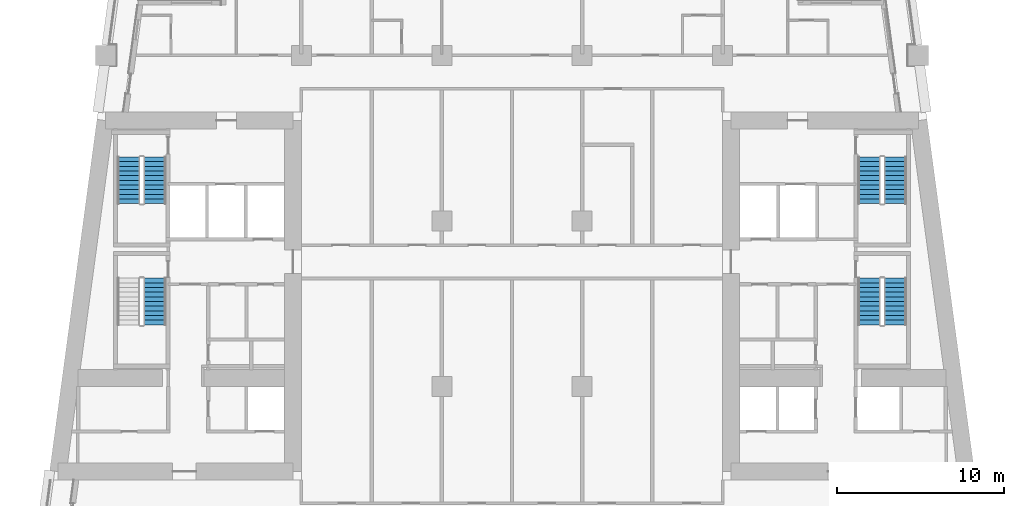
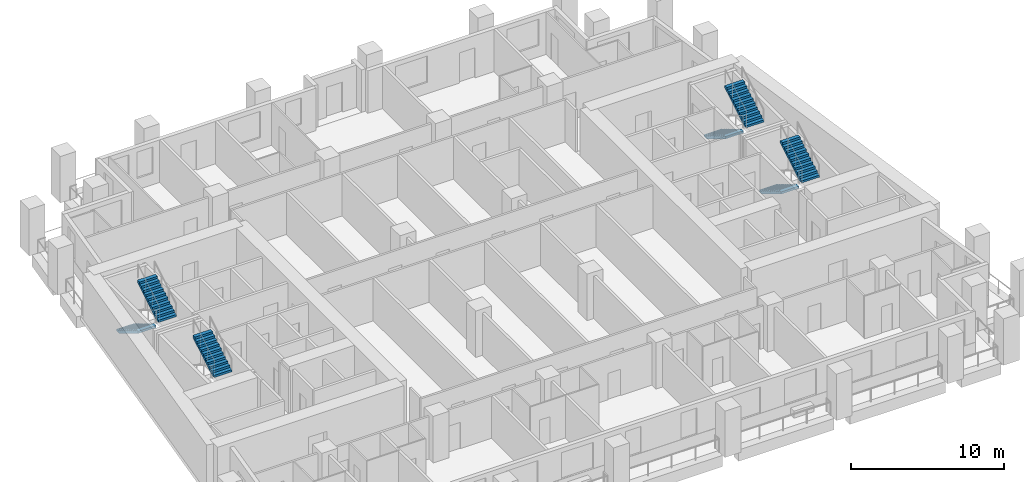
# One storey, part 8 of 13: 7 stair flights, 4 elements without a shape of their own.
"""IFC4 building model written with IfcOpenShell, lengths in metres."""

from ifc_helpers import new_model, si_unit, direction, frame, origin, place, context, subcontext, project, spatial, polyline, outline, extrude, material, type_object, element, aggregate, save


model = new_model("IFC4")

# Units and contexts
model_context = context("Model", 3, precision=1e-05, world=origin(), true_north=direction((0.0, 1.0)))
body_context = subcontext(model_context, "Body", "Model", "MODEL_VIEW")
ifc_project = project(units=[si_unit("LENGTHUNIT", "METRE"), si_unit("AREAUNIT", "SQUARE_METRE"), si_unit("VOLUMEUNIT", "CUBIC_METRE"), si_unit("PLANEANGLEUNIT", "RADIAN"), si_unit("MASSUNIT", "GRAM", prefix="KILO")], contexts=[model_context])

# Site, building, storey
site_placement = place(None, origin())
site = spatial("IfcSite", under=ifc_project, at=site_placement, CompositionType="ELEMENT")
building_placement = place(site_placement, origin())
building = spatial("IfcBuilding", under=site, at=building_placement, Name="Candeia Pilgrim Tower and Theatre", CompositionType="ELEMENT")
storey_placement = place(building_placement, frame((0.0, 0.0, 102.10009765625)))
storey = spatial("IfcBuildingStorey", under=building, at=storey_placement, Name="L23", CompositionType="ELEMENT", Elevation=102.10009765625)

# Stair, stair flight
ifc_material = material(Name="Concrete C40/50", Category="concrete")
stair_type = type_object("IfcStairType", Name="ST-TWR dog-leg escape stair", PredefinedType="HALF_TURN_STAIR", material=ifc_material)
stair_1_placement = place(storey_placement, origin())
stair_1 = element("IfcStair", 1, at=stair_1_placement, inside=storey, type_object=stair_type, Name="L23 Escape stair ST1", PredefinedType="HALF_TURN_STAIR")
stair_flight_type = type_object("IfcStairFlightType", Name="SFL-RC stair flight", PredefinedType="STRAIGHT", material=ifc_material)
stair_flight_1_placement = place(storey_placement, frame((92.027099609375, 119.675048828125, 1.849853515625), z_axis=(0.0, 0.0, 1.0), x_axis=(0.0, 1.0, 0.0)))
stair_flight_1 = element("IfcStairFlight", 2, at=stair_flight_1_placement, type_object=stair_flight_type, Name="ST1 flight 2", NumberOfRisers=11, NumberOfTreads=10, PredefinedType="STRAIGHT", RiserHeight=0.168181818, TreadLength=0.28, context=body_context, shape_type="SweptSolid", body=[
    extrude(outline(polyline([(0.0, 0.0), (0.0, 0.168212890625), (0.280029296875, 0.168212890625), (0.280029296875, 0.33642578125), (0.56005859375, 0.33642578125), (0.56005859375, 0.504638671875), (0.840087890625, 0.504638671875), (0.840087890625, 0.672607421875), (1.1201171875, 0.672607421875), (1.1201171875, 0.8408203125), (1.39990234375, 0.8408203125), (1.39990234375, 1.009033203125), (1.679931640625, 1.009033203125), (1.679931640625, 1.17724609375), (1.9599609375, 1.17724609375), (1.9599609375, 1.345458984375), (2.239990234375, 1.345458984375), (2.239990234375, 1.513671875), (2.52001953125, 1.513671875), (2.52001953125, 1.681884765625), (2.800048828125, 1.681884765625), (2.800048828125, 1.85009765625), (2.800048828125, 1.5068359375), (0.291015625, 0.0), (0.0, 0.0)])), frame((0.0, 0.675048828125, 0.0), z_axis=(0.0, -1.0, 0.0), x_axis=(1.0, 0.0, 0.0)), (0.0, 0.0, 1.0), 1.35009765625),
])
aggregate(stair_1, [stair_flight_1])

# Stair, stair flights
stair_2_placement = place(storey_placement, origin())
stair_2 = element("IfcStair", 3, at=stair_2_placement, inside=storey, type_object=stair_type, Name="L23 Escape stair ST2", PredefinedType="HALF_TURN_STAIR")
stair_flight_2_placement = place(storey_placement, frame((90.47705078125, 129.72509765625, 0.0), z_axis=(0.0, 0.0, 1.0), x_axis=(0.0, -1.0, 0.0)))
stair_flight_2 = element("IfcStairFlight", 4, at=stair_flight_2_placement, type_object=stair_flight_type, Name="ST2 flight 1", NumberOfRisers=11, NumberOfTreads=10, PredefinedType="STRAIGHT", RiserHeight=0.168181818, TreadLength=0.28, context=body_context, shape_type="SweptSolid", body=[
    extrude(outline(polyline([(0.0, 0.0), (0.0, 0.168212890625), (0.280029296875, 0.168212890625), (0.280029296875, 0.33642578125), (0.56005859375, 0.33642578125), (0.56005859375, 0.504638671875), (0.840087890625, 0.504638671875), (0.840087890625, 0.672607421875), (1.1201171875, 0.672607421875), (1.1201171875, 0.8408203125), (1.39990234375, 0.8408203125), (1.39990234375, 1.009033203125), (1.679931640625, 1.009033203125), (1.679931640625, 1.17724609375), (1.9599609375, 1.17724609375), (1.9599609375, 1.345458984375), (2.239990234375, 1.345458984375), (2.239990234375, 1.513671875), (2.52001953125, 1.513671875), (2.52001953125, 1.681884765625), (2.800048828125, 1.681884765625), (2.800048828125, 1.85009765625), (2.800048828125, 1.5068359375), (0.291015625, 0.0), (0.0, 0.0)])), frame((0.0, 0.675048828125, 0.0), z_axis=(0.0, -1.0, 0.0), x_axis=(1.0, 0.0, 0.0)), (0.0, 0.0, 1.0), 1.35009765625),
])
stair_flight_3_placement = place(storey_placement, frame((92.027099609375, 126.925048828125, 1.849853515625), z_axis=(0.0, 0.0, 1.0), x_axis=(0.0, 1.0, 0.0)))
stair_flight_3 = element("IfcStairFlight", 5, at=stair_flight_3_placement, type_object=stair_flight_type, Name="ST2 flight 2", NumberOfRisers=11, NumberOfTreads=10, PredefinedType="STRAIGHT", RiserHeight=0.168181818, TreadLength=0.28, context=body_context, shape_type="SweptSolid", body=[
    extrude(outline(polyline([(0.0, 0.0), (0.0, 0.168212890625), (0.280029296875, 0.168212890625), (0.280029296875, 0.33642578125), (0.56005859375, 0.33642578125), (0.56005859375, 0.504638671875), (0.840087890625, 0.504638671875), (0.840087890625, 0.672607421875), (1.1201171875, 0.672607421875), (1.1201171875, 0.8408203125), (1.39990234375, 0.8408203125), (1.39990234375, 1.009033203125), (1.679931640625, 1.009033203125), (1.679931640625, 1.17724609375), (1.9599609375, 1.17724609375), (1.9599609375, 1.345458984375), (2.239990234375, 1.345458984375), (2.239990234375, 1.513671875), (2.52001953125, 1.513671875), (2.52001953125, 1.681884765625), (2.800048828125, 1.681884765625), (2.800048828125, 1.85009765625), (2.800048828125, 1.5068359375), (0.291015625, 0.0), (0.0, 0.0)])), frame((0.0, 0.675048828125, 0.0), z_axis=(0.0, -1.0, 0.0), x_axis=(1.0, 0.0, 0.0)), (0.0, 0.0, 1.0), 1.35009765625),
])
aggregate(stair_2, [stair_flight_2, stair_flight_3])

stair_3_placement = place(storey_placement, origin())
stair_3 = element("IfcStair", 6, at=stair_3_placement, inside=storey, type_object=stair_type, Name="L23 Escape stair ST3", PredefinedType="HALF_TURN_STAIR")
stair_flight_4_placement = place(storey_placement, frame((134.77294921875, 122.47509765625, 0.0), z_axis=(0.0, 0.0, 1.0), x_axis=(0.0, -1.0, 0.0)))
stair_flight_4 = element("IfcStairFlight", 7, at=stair_flight_4_placement, type_object=stair_flight_type, Name="ST3 flight 1", NumberOfRisers=11, NumberOfTreads=10, PredefinedType="STRAIGHT", RiserHeight=0.168181818, TreadLength=0.28, context=body_context, shape_type="SweptSolid", body=[
    extrude(outline(polyline([(0.0, 0.0), (0.0, 0.168212890625), (0.280029296875, 0.168212890625), (0.280029296875, 0.33642578125), (0.56005859375, 0.33642578125), (0.56005859375, 0.504638671875), (0.840087890625, 0.504638671875), (0.840087890625, 0.672607421875), (1.1201171875, 0.672607421875), (1.1201171875, 0.8408203125), (1.39990234375, 0.8408203125), (1.39990234375, 1.009033203125), (1.679931640625, 1.009033203125), (1.679931640625, 1.17724609375), (1.9599609375, 1.17724609375), (1.9599609375, 1.345458984375), (2.239990234375, 1.345458984375), (2.239990234375, 1.513671875), (2.52001953125, 1.513671875), (2.52001953125, 1.681884765625), (2.800048828125, 1.681884765625), (2.800048828125, 1.85009765625), (2.800048828125, 1.5068359375), (0.291015625, 0.0), (0.0, 0.0)])), frame((0.0, 0.675048828125, 0.0), z_axis=(0.0, -1.0, 0.0), x_axis=(1.0, 0.0, 0.0)), (0.0, 0.0, 1.0), 1.35009765625),
])
stair_flight_5_placement = place(storey_placement, frame((136.322998046875, 119.675048828125, 1.849853515625), z_axis=(0.0, 0.0, 1.0), x_axis=(0.0, 1.0, 0.0)))
stair_flight_5 = element("IfcStairFlight", 8, at=stair_flight_5_placement, type_object=stair_flight_type, Name="ST3 flight 2", NumberOfRisers=11, NumberOfTreads=10, PredefinedType="STRAIGHT", RiserHeight=0.168181818, TreadLength=0.28, context=body_context, shape_type="SweptSolid", body=[
    extrude(outline(polyline([(0.0, 0.0), (0.0, 0.168212890625), (0.280029296875, 0.168212890625), (0.280029296875, 0.33642578125), (0.56005859375, 0.33642578125), (0.56005859375, 0.504638671875), (0.840087890625, 0.504638671875), (0.840087890625, 0.672607421875), (1.1201171875, 0.672607421875), (1.1201171875, 0.8408203125), (1.39990234375, 0.8408203125), (1.39990234375, 1.009033203125), (1.679931640625, 1.009033203125), (1.679931640625, 1.17724609375), (1.9599609375, 1.17724609375), (1.9599609375, 1.345458984375), (2.239990234375, 1.345458984375), (2.239990234375, 1.513671875), (2.52001953125, 1.513671875), (2.52001953125, 1.681884765625), (2.800048828125, 1.681884765625), (2.800048828125, 1.85009765625), (2.800048828125, 1.5068359375), (0.291015625, 0.0), (0.0, 0.0)])), frame((0.0, 0.675048828125, 0.0), z_axis=(0.0, -1.0, 0.0), x_axis=(1.0, 0.0, 0.0)), (0.0, 0.0, 1.0), 1.35009765625),
])
aggregate(stair_3, [stair_flight_4, stair_flight_5])

stair_4_placement = place(storey_placement, origin())
stair_4 = element("IfcStair", 9, at=stair_4_placement, inside=storey, type_object=stair_type, Name="L23 Escape stair ST4", PredefinedType="HALF_TURN_STAIR")
stair_flight_6_placement = place(storey_placement, frame((134.77294921875, 129.72509765625, 0.0), z_axis=(0.0, 0.0, 1.0), x_axis=(0.0, -1.0, 0.0)))
stair_flight_6 = element("IfcStairFlight", 10, at=stair_flight_6_placement, type_object=stair_flight_type, Name="ST4 flight 1", NumberOfRisers=11, NumberOfTreads=10, PredefinedType="STRAIGHT", RiserHeight=0.168181818, TreadLength=0.28, context=body_context, shape_type="SweptSolid", body=[
    extrude(outline(polyline([(0.0, 0.0), (0.0, 0.168212890625), (0.280029296875, 0.168212890625), (0.280029296875, 0.33642578125), (0.56005859375, 0.33642578125), (0.56005859375, 0.504638671875), (0.840087890625, 0.504638671875), (0.840087890625, 0.672607421875), (1.1201171875, 0.672607421875), (1.1201171875, 0.8408203125), (1.39990234375, 0.8408203125), (1.39990234375, 1.009033203125), (1.679931640625, 1.009033203125), (1.679931640625, 1.17724609375), (1.9599609375, 1.17724609375), (1.9599609375, 1.345458984375), (2.239990234375, 1.345458984375), (2.239990234375, 1.513671875), (2.52001953125, 1.513671875), (2.52001953125, 1.681884765625), (2.800048828125, 1.681884765625), (2.800048828125, 1.85009765625), (2.800048828125, 1.5068359375), (0.291015625, 0.0), (0.0, 0.0)])), frame((0.0, 0.675048828125, 0.0), z_axis=(0.0, -1.0, 0.0), x_axis=(1.0, 0.0, 0.0)), (0.0, 0.0, 1.0), 1.35009765625),
])
stair_flight_7_placement = place(storey_placement, frame((136.322998046875, 126.925048828125, 1.849853515625), z_axis=(0.0, 0.0, 1.0), x_axis=(0.0, 1.0, 0.0)))
stair_flight_7 = element("IfcStairFlight", 11, at=stair_flight_7_placement, type_object=stair_flight_type, Name="ST4 flight 2", NumberOfRisers=11, NumberOfTreads=10, PredefinedType="STRAIGHT", RiserHeight=0.168181818, TreadLength=0.28, context=body_context, shape_type="SweptSolid", body=[
    extrude(outline(polyline([(0.0, 0.0), (0.0, 0.168212890625), (0.280029296875, 0.168212890625), (0.280029296875, 0.33642578125), (0.56005859375, 0.33642578125), (0.56005859375, 0.504638671875), (0.840087890625, 0.504638671875), (0.840087890625, 0.672607421875), (1.1201171875, 0.672607421875), (1.1201171875, 0.8408203125), (1.39990234375, 0.8408203125), (1.39990234375, 1.009033203125), (1.679931640625, 1.009033203125), (1.679931640625, 1.17724609375), (1.9599609375, 1.17724609375), (1.9599609375, 1.345458984375), (2.239990234375, 1.345458984375), (2.239990234375, 1.513671875), (2.52001953125, 1.513671875), (2.52001953125, 1.681884765625), (2.800048828125, 1.681884765625), (2.800048828125, 1.85009765625), (2.800048828125, 1.5068359375), (0.291015625, 0.0), (0.0, 0.0)])), frame((0.0, 0.675048828125, 0.0), z_axis=(0.0, -1.0, 0.0), x_axis=(1.0, 0.0, 0.0)), (0.0, 0.0, 1.0), 1.35009765625),
])
aggregate(stair_4, [stair_flight_6, stair_flight_7])

save(model, "model.ifc")
